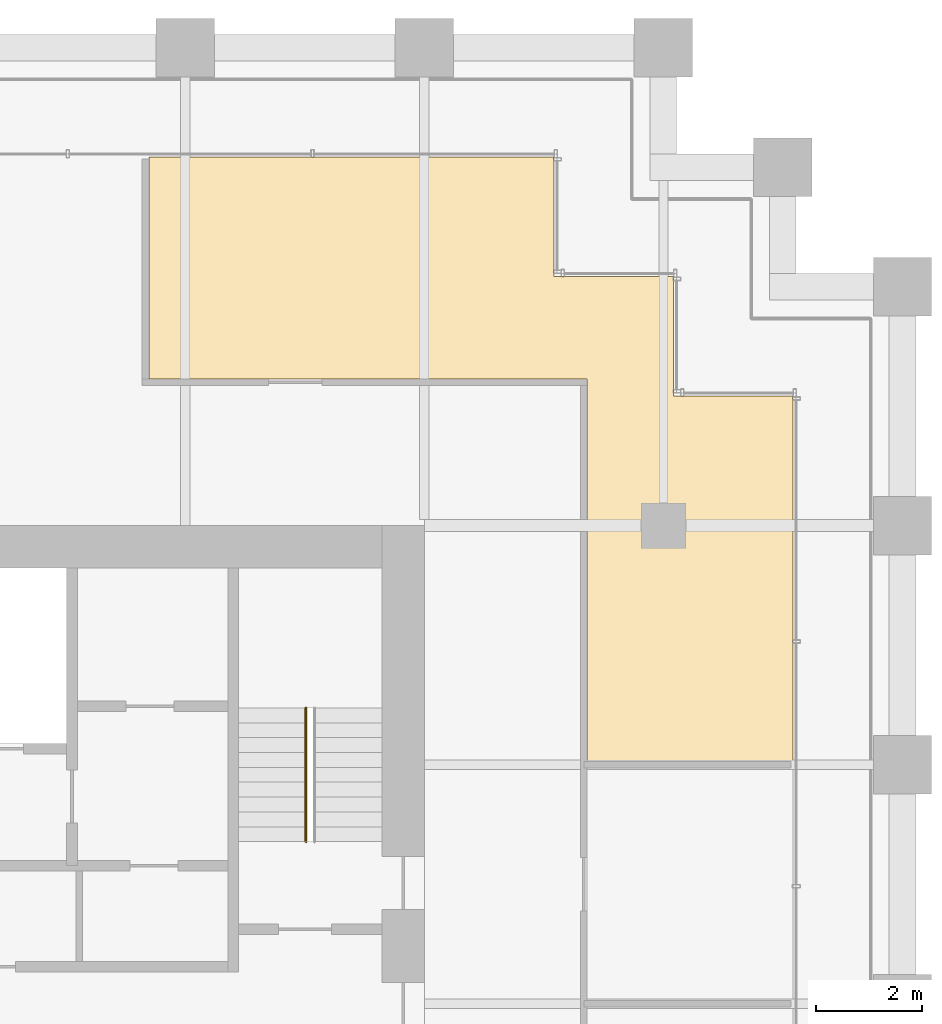
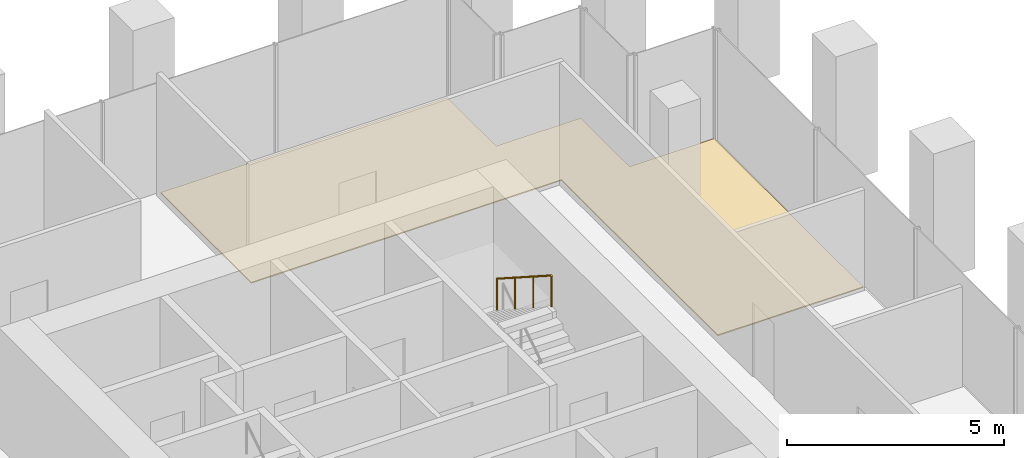
# One storey, part 56 of 56: 1 covering, 1 railing.
"""IFC4 building model written with IfcOpenShell, lengths in metres."""

from ifc_helpers import new_model, si_unit, direction, frame, origin, origin_2d, place, context, subcontext, project, spatial, polyline, circle, outline, extrude, source, transform, mapped, material, layer, layer_set, type_object, element, save


model = new_model("IFC4")

# Units and contexts
model_context = context("Model", 3, precision=1e-05, world=origin(), true_north=direction((0.0, 1.0)))
body_context = subcontext(model_context, "Body", "Model", "MODEL_VIEW")
ifc_project = project(units=[si_unit("LENGTHUNIT", "METRE"), si_unit("AREAUNIT", "SQUARE_METRE"), si_unit("VOLUMEUNIT", "CUBIC_METRE"), si_unit("PLANEANGLEUNIT", "RADIAN"), si_unit("MASSUNIT", "GRAM", prefix="KILO")], contexts=[model_context])

# Site, building, storey
site_placement = place(None, origin())
site = spatial("IfcSite", under=ifc_project, at=site_placement, CompositionType="ELEMENT")
building_placement = place(site_placement, origin())
building = spatial("IfcBuilding", under=site, at=building_placement, Name="Altepetl Exchange Towers", CompositionType="ELEMENT")
storey_placement = place(building_placement, frame((0.0, 0.0, 79.800048828125)))
storey = spatial("IfcBuildingStorey", under=building, at=storey_placement, Name="L19", CompositionType="ELEMENT", Elevation=79.800048828125)

# Covering
ifc_material_1 = material(Name="Cantera stone", Category="masonry")
ifc_layer = layer(ifc_material_1, 0.030029296875)
ifc_layer_set = layer_set([ifc_layer], Name="Cantera stone")
covering_type = type_object("IfcCoveringType", Name="Polished stone floor", PredefinedType="FLOORING", material=ifc_layer_set)
covering_placement = place(storey_placement, origin())
element("IfcCovering", 1, at=covering_placement, inside=storey, type_object=covering_type, Name="Cafe floor finish B19.05", PredefinedType="FLOORING", context=body_context, shape_type="SweptSolid", body=[
    extrude(outline(polyline([(121.6875, 54.1875), (119.4375, 54.1875), (119.4375, 56.4375), (111.8125, 56.4375), (111.8125, 52.262451171875), (120.0625, 52.262451171875), (120.0625, 45.0625), (123.9375, 45.0625), (123.9375, 51.9375), (121.6875, 51.9375), (121.6875, 54.1875)])), origin(), (0.0, 0.0, 1.0), 0.030029296875),
])

# Railing
ifc_material_2 = material(Name="Steel", Category="steel")
railing_type = type_object("IfcRailingType", Name="Stair handrail 50 steel tube", PredefinedType="HANDRAIL", material=ifc_material_2)
shared_shape = source(origin(), body_context, "Body", "SweptSolid", [
    extrude(circle(Radius=0.02099609375, at=origin_2d()), origin(), (0.0, 0.0, 1.0), 0.851806640625),
])
railing_placement = place(storey_placement, frame((114.77001953125, 46.070068359375, 1.97998046875)))
element("IfcRailing", 2, at=railing_placement, inside=storey, type_object=railing_type, Name="Stair handrail", PredefinedType="HANDRAIL", context=body_context, shape_type="SweptSolid", body=[
    extrude(circle(Radius=0.02392578125, at=origin_2d()), frame((0.0, 0.0, 0.8759765625), z_axis=(0.0, -0.841199657755, 0.540724639528), x_axis=(1.0, 0.0, 0.0)), (0.0, 0.0, 1.0), 2.995849609375),
    mapped(shared_shape, transform((0.0, 0.0, 0.0))),
    mapped(shared_shape, transform((0.0, -0.840087890625, 0.5400390625))),
    mapped(shared_shape, transform((0.0, -1.679931640625, 1.079833984375))),
    mapped(shared_shape, transform((0.0, -2.52001953125, 1.619873046875))),
])

save(model, "model.ifc")
